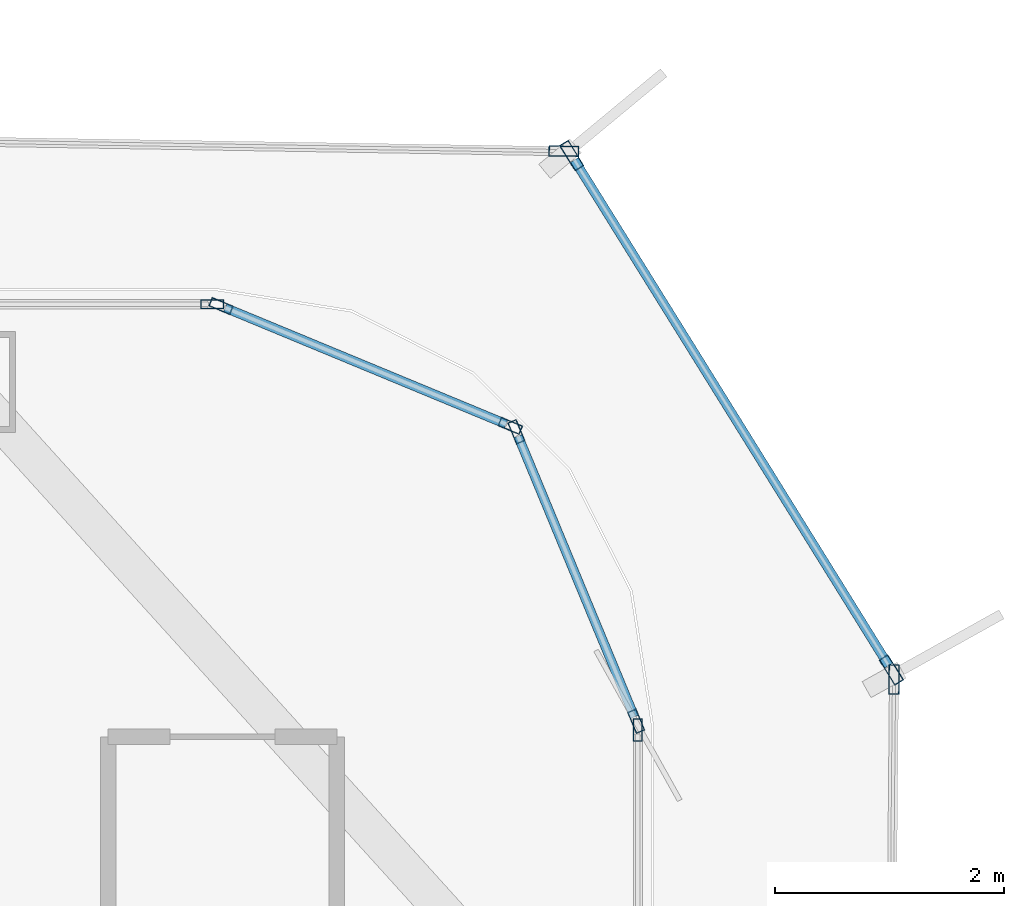
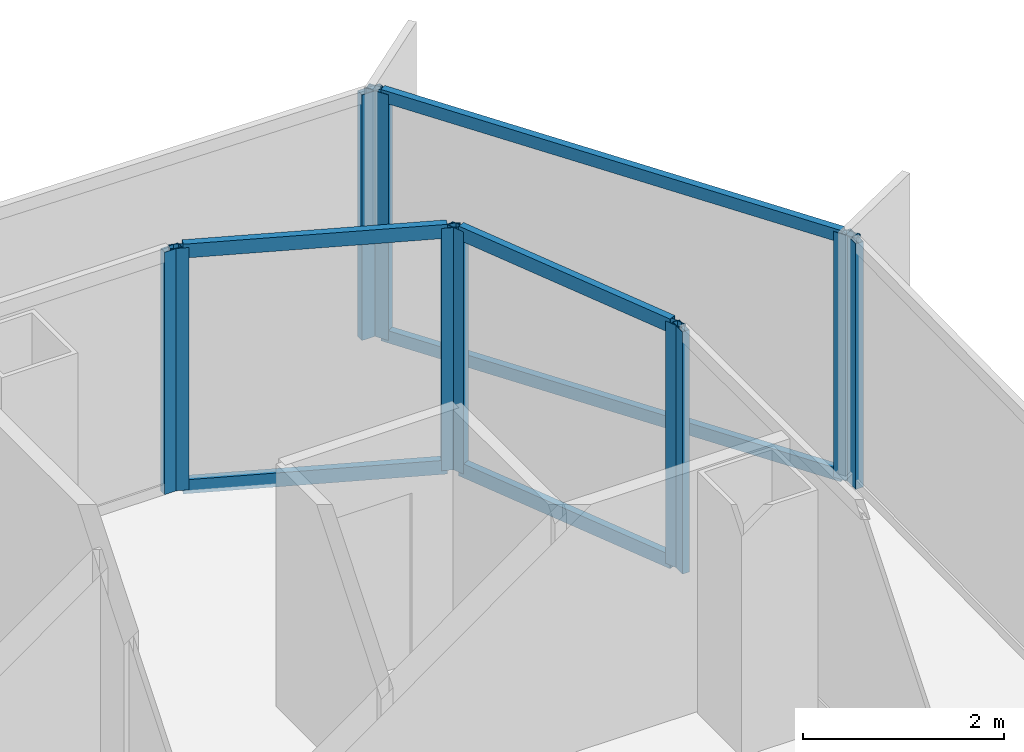
# One storey, part 14 of 21: 16 members, 7 elements without a shape of their own.
"""IFC4 building model written with IfcOpenShell, lengths in metres."""

from ifc_helpers import new_model, si_unit, direction, frame, origin, origin_2d, place, context, subcontext, project, spatial, hollow_rectangle, extrude, source, transform, mapped, material, layer, layer_set, material_profile, profile_set, type_object, element, aggregate, save


model = new_model("IFC4")

# Units and contexts
model_context = context("Model", 3, precision=1e-05, world=origin(), true_north=direction((0.0, 1.0)))
body_context = subcontext(model_context, "Body", "Model", "MODEL_VIEW")
ifc_project = project(units=[si_unit("LENGTHUNIT", "METRE"), si_unit("AREAUNIT", "SQUARE_METRE"), si_unit("VOLUMEUNIT", "CUBIC_METRE"), si_unit("PLANEANGLEUNIT", "RADIAN"), si_unit("MASSUNIT", "GRAM", prefix="KILO")], contexts=[model_context])

# Site, building, storey
site_placement = place(None, origin())
site = spatial("IfcSite", under=ifc_project, at=site_placement, CompositionType="ELEMENT")
building_placement = place(site_placement, origin())
building = spatial("IfcBuilding", under=site, at=building_placement, Name="Kolveth Station Tower", CompositionType="ELEMENT")
storey_placement = place(building_placement, frame((0.0, 0.0, 95.89990234375)))
storey = spatial("IfcBuildingStorey", under=building, at=storey_placement, Name="L25", CompositionType="ELEMENT", Elevation=95.89990234375)

# Curtain wall, members
ifc_material_1 = material(Name="Aluminium 6063-T6 and low-E dark glass", Category="aluminium")
ifc_layer_1 = layer(ifc_material_1, 0.18994140625)
ifc_layer_set_1 = layer_set([ifc_layer_1], Name="Aluminium 6063-T6 and low-E dark glass")
curtain_wall_type_1 = type_object("IfcCurtainWallType", Name="CurtainWall_CW-Z2", PredefinedType="NOTDEFINED", material=ifc_layer_set_1)
curtain_wall_1_placement = place(storey_placement, origin())
curtain_wall_1 = element("IfcCurtainWall", 1, at=curtain_wall_1_placement, inside=storey, type_object=curtain_wall_type_1, Name="L25 Inner Thermal Curtain Wall 4", PredefinedType="NOTDEFINED")
ifc_material_2 = material(Name="Black anodized aluminium 6063-T6", Category="aluminium")
ifc_material_profile_1 = material_profile(ifc_material_2, hollow_rectangle(XDim=0.080078125, YDim=0.169921875, WallThickness=0.0048828125, at=origin_2d()), Name="ALU-80x170x5")
ifc_profile_set_1 = profile_set([ifc_material_profile_1], Name="Black anodized aluminium 6063-T6")
member_type_1 = type_object("IfcMemberType", Name="Transom_TR2", PredefinedType="USERDEFINED", material=ifc_profile_set_1)
shared_shape_1 = source(origin(), body_context, "Body", "SweptSolid", [
    extrude(hollow_rectangle(XDim=0.080078125, YDim=0.169921875, WallThickness=0.0048828125, at=origin_2d()), origin(), (0.0, 0.0, 1.0), 2.656494140625),
])
member_1_placement = place(storey_placement, frame((46.849365234375, 31.573974609375, 0.0400390625), z_axis=(-0.382676455475, 0.923882422403, 0.0), x_axis=(-0.923882422403, -0.382676455475, 0.0)))
member_1 = element("IfcMember", 2, at=member_1_placement, type_object=member_type_1, Name="CW-Z2 transom 1.1", ObjectType="TRANSOM", PredefinedType="USERDEFINED", context=body_context, shape_type="MappedRepresentation", body=[
    mapped(shared_shape_1, transform((0.0, 0.0, 0.0), x_axis=(1.0, 0.0, 0.0), y_axis=(0.0, 1.0, 0.0), z_axis=(0.0, 0.0, 1.0), scale=1.0)),
])
member_2_placement = place(storey_placement, frame((46.849365234375, 31.573974609375, 2.91015625), z_axis=(-0.382676455475, 0.923882422403, 0.0), x_axis=(-0.923882422403, -0.382676455475, 0.0)))
member_2 = element("IfcMember", 3, at=member_2_placement, type_object=member_type_1, Name="CW-Z2 transom 1.2", ObjectType="TRANSOM", PredefinedType="USERDEFINED", context=body_context, shape_type="MappedRepresentation", body=[
    mapped(shared_shape_1, transform((0.0, 0.0, 0.0), x_axis=(1.0, 0.0, 0.0), y_axis=(0.0, 1.0, 0.0), z_axis=(0.0, 0.0, 1.0), scale=1.0)),
])

curtain_wall_2_placement = place(storey_placement, origin())
curtain_wall_2 = element("IfcCurtainWall", 4, at=curtain_wall_2_placement, inside=storey, type_object=curtain_wall_type_1, Name="L25 Inner Thermal Curtain Wall 5", PredefinedType="NOTDEFINED")
member_3_placement = place(storey_placement, frame((45.728271484375, 34.1328125, 0.0400390625), z_axis=(-0.923882422403, 0.382676455475, 0.0), x_axis=(-0.382676455475, -0.923882422403, 0.0)))
member_3 = element("IfcMember", 5, at=member_3_placement, type_object=member_type_1, Name="CW-Z2 transom 1.1", ObjectType="TRANSOM", PredefinedType="USERDEFINED", context=body_context, shape_type="MappedRepresentation", body=[
    mapped(shared_shape_1, transform((0.0, 0.0, 0.0), x_axis=(1.0, 0.0, 0.0), y_axis=(0.0, 1.0, 0.0), z_axis=(0.0, 0.0, 1.0), scale=1.0)),
])
member_4_placement = place(storey_placement, frame((45.728271484375, 34.1328125, 2.91015625), z_axis=(-0.923882422403, 0.382676455475, 0.0), x_axis=(-0.382676455475, -0.923882422403, 0.0)))
member_4 = element("IfcMember", 6, at=member_4_placement, type_object=member_type_1, Name="CW-Z2 transom 1.2", ObjectType="TRANSOM", PredefinedType="USERDEFINED", context=body_context, shape_type="MappedRepresentation", body=[
    mapped(shared_shape_1, transform((0.0, 0.0, 0.0), x_axis=(1.0, 0.0, 0.0), y_axis=(0.0, 1.0, 0.0), z_axis=(0.0, 0.0, 1.0), scale=1.0)),
])

# Curtain wall, member
ifc_material_3 = material(Name="Black anodized aluminium 6063-T6 and dark solar glass", Category="aluminium")
ifc_layer_2 = layer(ifc_material_3, 0.159912109375)
ifc_layer_set_2 = layer_set([ifc_layer_2], Name="Black anodized aluminium 6063-T6 and dark solar glass")
curtain_wall_type_2 = type_object("IfcCurtainWallType", Name="OUTER SKIN CW-OS", PredefinedType="NOTDEFINED", material=ifc_layer_set_2)
curtain_wall_3_placement = place(storey_placement, origin())
curtain_wall_3 = element("IfcCurtainWall", 7, at=curtain_wall_3_placement, inside=storey, type_object=curtain_wall_type_2, Name="L25 Outer Ventilated Skin Curtain Wall 2", PredefinedType="NOTDEFINED")
ifc_material_profile_2 = material_profile(ifc_material_2, hollow_rectangle(XDim=0.090087890625, YDim=0.260009765625, WallThickness=0.0048828125, at=origin_2d()), Name="ALU-90x260x5")
ifc_profile_set_2 = profile_set([ifc_material_profile_2], Name="Black anodized aluminium 6063-T6")
member_type_2 = type_object("IfcMemberType", Name="FIN MULLION ML-OS", PredefinedType="MULLION", material=ifc_profile_set_2)
shared_shape_2 = source(origin(), body_context, "Body", "SweptSolid", [
    extrude(hollow_rectangle(XDim=0.090087890625, YDim=0.260009765625, WallThickness=0.0048828125, at=origin_2d()), origin(), (0.0, 0.0, 1.0), 2.989990234375),
])
member_5_placement = place(storey_placement, frame((49.11767578125, 31.9013671875, 0.0), z_axis=(0.0, 0.0, 1.0), x_axis=(-0.999958905218, 0.009065752888, 0.0)))
member_5 = element("IfcMember", 8, at=member_5_placement, type_object=member_type_2, Name="CW-OS mullion 2", PredefinedType="MULLION", context=body_context, shape_type="MappedRepresentation", body=[
    mapped(shared_shape_2, transform((0.0, 0.0, 0.0), x_axis=(1.0, 0.0, 0.0), y_axis=(0.0, 1.0, 0.0), z_axis=(0.0, 0.0, 1.0), scale=1.0)),
])
aggregate(curtain_wall_3, [member_5])

# Curtain wall, members
curtain_wall_4_placement = place(storey_placement, origin())
curtain_wall_4 = element("IfcCurtainWall", 9, at=curtain_wall_4_placement, inside=storey, type_object=curtain_wall_type_2, Name="L25 Outer Ventilated Skin Curtain Wall 3", PredefinedType="NOTDEFINED")
member_6_placement = place(storey_placement, frame((49.094482421875, 31.984619140625, 0.0), z_axis=(0.0, 0.0, 1.0), x_axis=(-0.849335985609, -0.527852615366, 0.0)))
member_6 = element("IfcMember", 10, at=member_6_placement, type_object=member_type_2, Name="CW-OS mullion 1", PredefinedType="MULLION", context=body_context, shape_type="MappedRepresentation", body=[
    mapped(shared_shape_2, transform((0.0, 0.0, 0.0), x_axis=(1.0, 0.0, 0.0), y_axis=(0.0, 1.0, 0.0), z_axis=(0.0, 0.0, 1.0), scale=1.0)),
])
member_7_placement = place(storey_placement, frame((46.30126953125, 36.47900390625, 0.0), z_axis=(0.0, 0.0, 1.0), x_axis=(-0.849335985609, -0.527852615366, 0.0)))
member_7 = element("IfcMember", 11, at=member_7_placement, type_object=member_type_2, Name="CW-OS mullion 2", PredefinedType="MULLION", context=body_context, shape_type="MappedRepresentation", body=[
    mapped(shared_shape_2, transform((0.0, 0.0, 0.0), x_axis=(1.0, 0.0, 0.0), y_axis=(0.0, 1.0, 0.0), z_axis=(0.0, 0.0, 1.0), scale=1.0)),
])

# Curtain wall, member
curtain_wall_5_placement = place(storey_placement, origin())
curtain_wall_5 = element("IfcCurtainWall", 12, at=curtain_wall_5_placement, inside=storey, type_object=curtain_wall_type_2, Name="L25 Outer Ventilated Skin Curtain Wall 4", PredefinedType="NOTDEFINED")
member_8_placement = place(storey_placement, frame((46.232421875, 36.517822265625, 0.0), z_axis=(0.0, 0.0, 1.0), x_axis=(-0.016100695219, -0.999870375405, 0.0)))
member_8 = element("IfcMember", 13, at=member_8_placement, type_object=member_type_2, Name="CW-OS mullion 1", PredefinedType="MULLION", context=body_context, shape_type="MappedRepresentation", body=[
    mapped(shared_shape_2, transform((0.0, 0.0, 0.0), x_axis=(1.0, 0.0, 0.0), y_axis=(0.0, 1.0, 0.0), z_axis=(0.0, 0.0, 1.0), scale=1.0)),
])
aggregate(curtain_wall_5, [member_8])

curtain_wall_6_placement = place(storey_placement, origin())
curtain_wall_6 = element("IfcCurtainWall", 14, at=curtain_wall_6_placement, inside=storey, type_object=curtain_wall_type_1, Name="L25 Inner Thermal Curtain Wall 3", PredefinedType="NOTDEFINED")
ifc_material_profile_3 = material_profile(ifc_material_2, hollow_rectangle(XDim=0.080078125, YDim=0.199951171875, WallThickness=0.0048828125, at=origin_2d()), Name="ALU-80x200x5")
ifc_profile_set_3 = profile_set([ifc_material_profile_3], Name="Black anodized aluminium 6063-T6")
member_type_3 = type_object("IfcMemberType", Name="Mullion_ML2", PredefinedType="MULLION", material=ifc_profile_set_3)
shared_shape_3 = source(origin(), body_context, "Body", "SweptSolid", [
    extrude(hollow_rectangle(XDim=0.080078125, YDim=0.199951171875, WallThickness=0.0048828125, at=origin_2d()), origin(), (0.0, 0.0, 1.0), 2.9501953125),
])
member_9_placement = place(storey_placement, frame((46.8798828125, 31.4599609375, 0.0), z_axis=(0.0, 0.0, 1.0), x_axis=(-1.0, 0.0, 0.0)))
member_9 = element("IfcMember", 15, at=member_9_placement, type_object=member_type_3, Name="CW-Z2 mullion 2", PredefinedType="MULLION", context=body_context, shape_type="MappedRepresentation", body=[
    mapped(shared_shape_3, transform((0.0, 0.0, 0.0), x_axis=(1.0, 0.0, 0.0), y_axis=(0.0, 1.0, 0.0), z_axis=(0.0, 0.0, 1.0), scale=1.0)),
])
aggregate(curtain_wall_6, [member_9])

# Member
member_10_placement = place(storey_placement, frame((46.86474609375, 31.536865234375, 0.0), z_axis=(0.0, 0.0, 1.0), x_axis=(-0.923887883787, -0.38266326998, 0.0)))
member_10 = element("IfcMember", 16, at=member_10_placement, type_object=member_type_3, Name="CW-Z2 mullion 1", PredefinedType="MULLION", context=body_context, shape_type="MappedRepresentation", body=[
    mapped(shared_shape_3, transform((0.0, 0.0, 0.0), x_axis=(1.0, 0.0, 0.0), y_axis=(0.0, 1.0, 0.0), z_axis=(0.0, 0.0, 1.0), scale=1.0)),
])

member_11_placement = place(storey_placement, frame((45.817626953125, 34.065185546875, 0.0), z_axis=(0.0, 0.0, 1.0), x_axis=(-0.923887883787, -0.38266326998, 0.0)))
member_11 = element("IfcMember", 17, at=member_11_placement, type_object=member_type_3, Name="CW-Z2 mullion 2", PredefinedType="MULLION", context=body_context, shape_type="MappedRepresentation", body=[
    mapped(shared_shape_3, transform((0.0, 0.0, 0.0), x_axis=(1.0, 0.0, 0.0), y_axis=(0.0, 1.0, 0.0), z_axis=(0.0, 0.0, 1.0), scale=1.0)),
])

aggregate(curtain_wall_1, [member_10, member_11, member_1, member_2])

member_12_placement = place(storey_placement, frame((45.76513671875, 34.117431640625, 0.0), z_axis=(0.0, 0.0, 1.0), x_axis=(-0.38266326998, -0.923887883787, 0.0)))
member_12 = element("IfcMember", 18, at=member_12_placement, type_object=member_type_3, Name="CW-Z2 mullion 1", PredefinedType="MULLION", context=body_context, shape_type="MappedRepresentation", body=[
    mapped(shared_shape_3, transform((0.0, 0.0, 0.0), x_axis=(1.0, 0.0, 0.0), y_axis=(0.0, 1.0, 0.0), z_axis=(0.0, 0.0, 1.0), scale=1.0)),
])

member_13_placement = place(storey_placement, frame((43.237060546875, 35.164794921875, 0.0), z_axis=(0.0, 0.0, 1.0), x_axis=(-0.38266326998, -0.923887883787, 0.0)))
member_13 = element("IfcMember", 19, at=member_13_placement, type_object=member_type_3, Name="CW-Z2 mullion 2", PredefinedType="MULLION", context=body_context, shape_type="MappedRepresentation", body=[
    mapped(shared_shape_3, transform((0.0, 0.0, 0.0), x_axis=(1.0, 0.0, 0.0), y_axis=(0.0, 1.0, 0.0), z_axis=(0.0, 0.0, 1.0), scale=1.0)),
])

aggregate(curtain_wall_2, [member_12, member_13, member_3, member_4])

# Curtain wall, member
curtain_wall_7_placement = place(storey_placement, origin())
curtain_wall_7 = element("IfcCurtainWall", 20, at=curtain_wall_7_placement, inside=storey, type_object=curtain_wall_type_1, Name="L25 Inner Thermal Curtain Wall 6", PredefinedType="NOTDEFINED")
member_14_placement = place(storey_placement, frame((43.159912109375, 35.179931640625, 0.0), z_axis=(0.0, 0.0, 1.0), x_axis=(0.0, -1.0, 0.0)))
member_14 = element("IfcMember", 21, at=member_14_placement, type_object=member_type_3, Name="CW-Z2 mullion 1", PredefinedType="MULLION", context=body_context, shape_type="MappedRepresentation", body=[
    mapped(shared_shape_3, transform((0.0, 0.0, 0.0), x_axis=(1.0, 0.0, 0.0), y_axis=(0.0, 1.0, 0.0), z_axis=(0.0, 0.0, 1.0), scale=1.0)),
])
aggregate(curtain_wall_7, [member_14])

# Member
ifc_material_profile_4 = material_profile(ifc_material_2, hollow_rectangle(XDim=0.080078125, YDim=0.14990234375, WallThickness=0.0048828125, at=origin_2d()), Name="ALU-80x150x5")
ifc_profile_set_4 = profile_set([ifc_material_profile_4], Name="Black anodized aluminium 6063-T6")
member_type_4 = type_object("IfcMemberType", Name="Transom_TR-OS", PredefinedType="USERDEFINED", material=ifc_profile_set_4)
shared_shape_4 = source(origin(), body_context, "Body", "SweptSolid", [
    extrude(hollow_rectangle(XDim=0.080078125, YDim=0.14990234375, WallThickness=0.0048828125, at=origin_2d()), origin(), (0.0, 0.0, 1.0), 5.201416015625),
])
member_15_placement = place(storey_placement, frame((49.07080078125, 32.02294921875, 0.0400390625), z_axis=(-0.527892031172, 0.849311487868, 0.0), x_axis=(-0.849311487868, -0.527892031172, 0.0)))
member_15 = element("IfcMember", 22, at=member_15_placement, type_object=member_type_4, Name="CW-OS transom 1.1", ObjectType="TRANSOM", PredefinedType="USERDEFINED", context=body_context, shape_type="MappedRepresentation", body=[
    mapped(shared_shape_4, transform((0.0, 0.0, 0.0), x_axis=(1.0, 0.0, 0.0), y_axis=(0.0, 1.0, 0.0), z_axis=(0.0, 0.0, 1.0), scale=1.0)),
])

member_16_placement = place(storey_placement, frame((49.07080078125, 32.02294921875, 2.9501953125), z_axis=(-0.527892031172, 0.849311487868, 0.0), x_axis=(-0.849311487868, -0.527892031172, 0.0)))
member_16 = element("IfcMember", 23, at=member_16_placement, type_object=member_type_4, Name="CW-OS transom 1.2", ObjectType="TRANSOM", PredefinedType="USERDEFINED", context=body_context, shape_type="MappedRepresentation", body=[
    mapped(shared_shape_4, transform((0.0, 0.0, 0.0), x_axis=(1.0, 0.0, 0.0), y_axis=(0.0, 1.0, 0.0), z_axis=(0.0, 0.0, 1.0), scale=1.0)),
])

aggregate(curtain_wall_4, [member_6, member_7, member_15, member_16])

save(model, "model.ifc")
